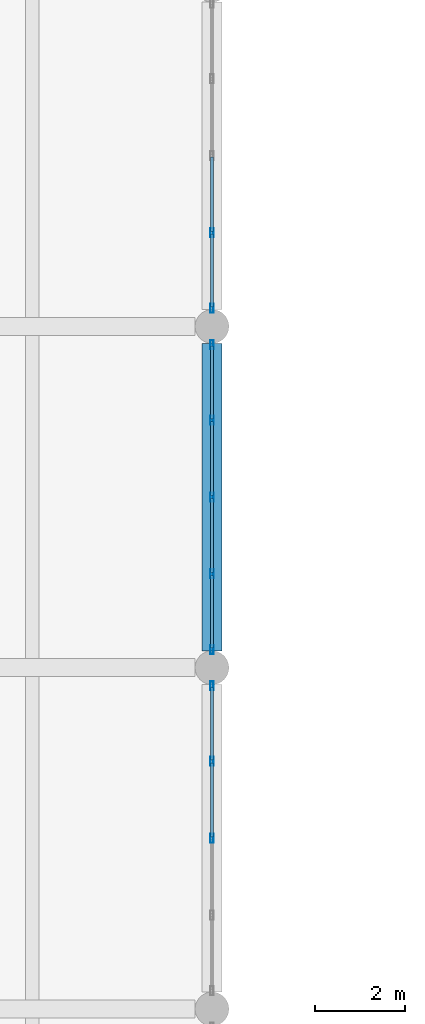
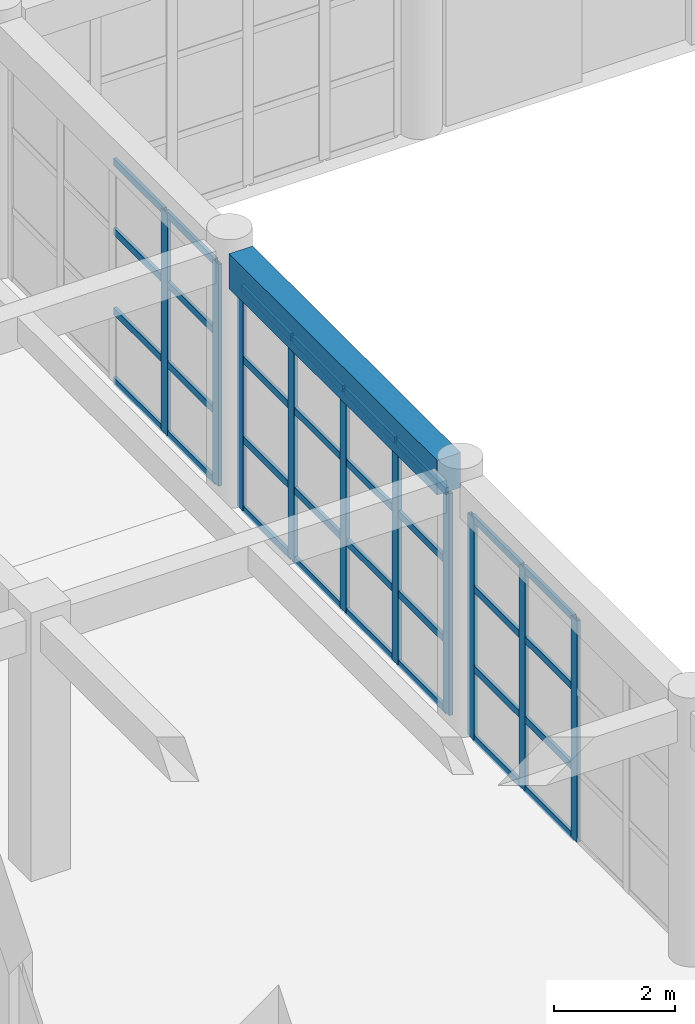
# One storey, part 19 of 95: 42 members, 1 beam, 3 elements without a shape of their own.
"""IFC4 building model written with IfcOpenShell, lengths in metres."""

from ifc_helpers import new_model, si_unit, direction, frame, origin, origin_2d, place, context, subcontext, project, spatial, rectangle, hollow_rectangle, extrude, material, material_profile, profile_set, type_object, element, aggregate, save


model = new_model("IFC4")

# Units and contexts
model_context = context("Model", 3, precision=1e-05, world=origin(), true_north=direction((0.0, 1.0)))
body_context = subcontext(model_context, "Body", "Model", "MODEL_VIEW")
ifc_project = project(units=[si_unit("LENGTHUNIT", "METRE"), si_unit("AREAUNIT", "SQUARE_METRE"), si_unit("VOLUMEUNIT", "CUBIC_METRE"), si_unit("PLANEANGLEUNIT", "RADIAN"), si_unit("MASSUNIT", "GRAM", prefix="KILO")], contexts=[model_context])

# Site, building, storey
site_placement = place(None, origin())
site = spatial("IfcSite", under=ifc_project, at=site_placement, CompositionType="ELEMENT")
building_placement = place(site_placement, origin())
building = spatial("IfcBuilding", under=site, at=building_placement, Name="Zantavel Square City Hall", CompositionType="ELEMENT")
storey_placement = place(building_placement, origin())
storey = spatial("IfcBuildingStorey", under=building, at=storey_placement, Name="L01", CompositionType="ELEMENT", Elevation=0.0)

# Curtain wall, members
ifc_material_1 = material(Name="Anodised aluminium 6063-T6", Category="aluminium")
curtain_wall_type = type_object("IfcCurtainWallType", Name="Curtain Wall CRT 6850x4460", PredefinedType="USERDEFINED", material=ifc_material_1)
curtain_wall_1_placement = place(storey_placement, origin())
curtain_wall_1 = element("IfcCurtainWall", 1, at=curtain_wall_1_placement, inside=storey, type_object=curtain_wall_type, Name="L01 Glazed Curtain Wall CW-L01-006", ObjectType="GLAZED CURTAIN WALL", PredefinedType="USERDEFINED")
ifc_material_profile_1 = material_profile(ifc_material_1, hollow_rectangle(XDim=0.070068359375, YDim=0.199951171875, WallThickness=0.00439453125, at=origin_2d()), Name="ALU 70x200x4.5")
ifc_profile_set_1 = profile_set([ifc_material_profile_1], Name="Anodised aluminium 6063-T6")
member_type_1 = type_object("IfcMemberType", Name="CW Heavy Hall Mullion ALU 70x200x4.5", PredefinedType="MULLION", material=ifc_profile_set_1)
member_1_placement = place(storey_placement, frame((16.0, 62.887451171875, 0.0), z_axis=(0.0, 0.0, 1.0), x_axis=(1.0, 0.0, 0.0)))
member_1 = element("IfcMember", 2, at=member_1_placement, type_object=member_type_1, Name="CW-006 mullion 4", PredefinedType="MULLION", context=body_context, shape_type="SweptSolid", body=[
    extrude(hollow_rectangle(XDim=0.070068359375, YDim=0.199951171875, WallThickness=0.00439453125, at=origin_2d()), origin(), (0.0, 0.0, 1.0), 4.4599609375),
])
member_2_placement = place(storey_placement, frame((16.0, 61.205078125, 0.0), z_axis=(0.0, 0.0, 1.0), x_axis=(1.0, 0.0, 0.0)))
member_2 = element("IfcMember", 3, at=member_2_placement, type_object=member_type_1, Name="CW-006 mullion 5", PredefinedType="MULLION", context=body_context, shape_type="SweptSolid", body=[
    extrude(hollow_rectangle(XDim=0.070068359375, YDim=0.199951171875, WallThickness=0.00439453125, at=origin_2d()), origin(), (0.0, 0.0, 1.0), 4.4599609375),
])

curtain_wall_2_placement = place(storey_placement, origin())
curtain_wall_2 = element("IfcCurtainWall", 4, at=curtain_wall_2_placement, inside=storey, type_object=curtain_wall_type, Name="L01 Glazed Curtain Wall CW-L01-007", ObjectType="GLAZED CURTAIN WALL", PredefinedType="USERDEFINED")
member_3_placement = place(storey_placement, frame((16.0, 60.39501953125, 0.0), z_axis=(0.0, 0.0, 1.0), x_axis=(1.0, 0.0, 0.0)))
member_3 = element("IfcMember", 5, at=member_3_placement, type_object=member_type_1, Name="CW-007 mullion 1", PredefinedType="MULLION", context=body_context, shape_type="SweptSolid", body=[
    extrude(hollow_rectangle(XDim=0.070068359375, YDim=0.199951171875, WallThickness=0.00439453125, at=origin_2d()), origin(), (0.0, 0.0, 1.0), 4.4599609375),
])
member_4_placement = place(storey_placement, frame((16.0, 58.71240234375, 0.0), z_axis=(0.0, 0.0, 1.0), x_axis=(1.0, 0.0, 0.0)))
member_4 = element("IfcMember", 6, at=member_4_placement, type_object=member_type_1, Name="CW-007 mullion 2", PredefinedType="MULLION", context=body_context, shape_type="SweptSolid", body=[
    extrude(hollow_rectangle(XDim=0.070068359375, YDim=0.199951171875, WallThickness=0.00439453125, at=origin_2d()), origin(), (0.0, 0.0, 1.0), 4.4599609375),
])
member_5_placement = place(storey_placement, frame((16.0, 57.0, 0.0), z_axis=(0.0, 0.0, 1.0), x_axis=(1.0, 0.0, 0.0)))
member_5 = element("IfcMember", 7, at=member_5_placement, type_object=member_type_1, Name="CW-007 mullion 3", PredefinedType="MULLION", context=body_context, shape_type="SweptSolid", body=[
    extrude(hollow_rectangle(XDim=0.070068359375, YDim=0.199951171875, WallThickness=0.00439453125, at=origin_2d()), origin(), (0.0, 0.0, 1.0), 4.4599609375),
])
member_6_placement = place(storey_placement, frame((16.0, 55.28759765625, 0.0), z_axis=(0.0, 0.0, 1.0), x_axis=(1.0, 0.0, 0.0)))
member_6 = element("IfcMember", 8, at=member_6_placement, type_object=member_type_1, Name="CW-007 mullion 4", PredefinedType="MULLION", context=body_context, shape_type="SweptSolid", body=[
    extrude(hollow_rectangle(XDim=0.070068359375, YDim=0.199951171875, WallThickness=0.00439453125, at=origin_2d()), origin(), (0.0, 0.0, 1.0), 4.4599609375),
])
member_7_placement = place(storey_placement, frame((16.0, 53.60498046875, 0.0), z_axis=(0.0, 0.0, 1.0), x_axis=(1.0, 0.0, 0.0)))
member_7 = element("IfcMember", 9, at=member_7_placement, type_object=member_type_1, Name="CW-007 mullion 5", PredefinedType="MULLION", context=body_context, shape_type="SweptSolid", body=[
    extrude(hollow_rectangle(XDim=0.070068359375, YDim=0.199951171875, WallThickness=0.00439453125, at=origin_2d()), origin(), (0.0, 0.0, 1.0), 4.4599609375),
])

curtain_wall_3_placement = place(storey_placement, origin())
curtain_wall_3 = element("IfcCurtainWall", 10, at=curtain_wall_3_placement, inside=storey, type_object=curtain_wall_type, Name="L01 Glazed Curtain Wall CW-L01-008", ObjectType="GLAZED CURTAIN WALL", PredefinedType="USERDEFINED")
member_8_placement = place(storey_placement, frame((16.0, 52.794921875, 0.0), z_axis=(0.0, 0.0, 1.0), x_axis=(1.0, 0.0, 0.0)))
member_8 = element("IfcMember", 11, at=member_8_placement, type_object=member_type_1, Name="CW-008 mullion 1", PredefinedType="MULLION", context=body_context, shape_type="SweptSolid", body=[
    extrude(hollow_rectangle(XDim=0.070068359375, YDim=0.199951171875, WallThickness=0.00439453125, at=origin_2d()), origin(), (0.0, 0.0, 1.0), 4.4599609375),
])
member_9_placement = place(storey_placement, frame((16.0, 51.112548828125, 0.0), z_axis=(0.0, 0.0, 1.0), x_axis=(1.0, 0.0, 0.0)))
member_9 = element("IfcMember", 12, at=member_9_placement, type_object=member_type_1, Name="CW-008 mullion 2", PredefinedType="MULLION", context=body_context, shape_type="SweptSolid", body=[
    extrude(hollow_rectangle(XDim=0.070068359375, YDim=0.199951171875, WallThickness=0.00439453125, at=origin_2d()), origin(), (0.0, 0.0, 1.0), 4.4599609375),
])
member_10_placement = place(storey_placement, frame((16.0, 49.39990234375, 0.0), z_axis=(0.0, 0.0, 1.0), x_axis=(1.0, 0.0, 0.0)))
member_10 = element("IfcMember", 13, at=member_10_placement, type_object=member_type_1, Name="CW-008 mullion 3", PredefinedType="MULLION", context=body_context, shape_type="SweptSolid", body=[
    extrude(hollow_rectangle(XDim=0.070068359375, YDim=0.199951171875, WallThickness=0.00439453125, at=origin_2d()), origin(), (0.0, 0.0, 1.0), 4.4599609375),
])

# Member
ifc_material_profile_2 = material_profile(ifc_material_1, hollow_rectangle(XDim=0.06005859375, YDim=0.139892578125, WallThickness=0.00390625, at=origin_2d()), Name="ALU 60x140x4")
ifc_profile_set_2 = profile_set([ifc_material_profile_2], Name="Anodised aluminium 6063-T6")
member_type_2 = type_object("IfcMemberType", Name="CW Transom ALU 60x140x4", PredefinedType="USERDEFINED", material=ifc_profile_set_2)
member_11_placement = place(storey_placement, frame((16.0, 64.570068359375, 0.030029296875), z_axis=(0.0, -1.0, 0.0), x_axis=(1.0, 0.0, 0.0)))
member_11 = element("IfcMember", 14, at=member_11_placement, type_object=member_type_2, Name="CW-006 transom 3.1", ObjectType="TRANSOM", PredefinedType="USERDEFINED", context=body_context, shape_type="SweptSolid", body=[
    extrude(hollow_rectangle(XDim=0.06005859375, YDim=0.139892578125, WallThickness=0.00390625, at=origin_2d()), origin(), (0.0, 0.0, 1.0), 1.652587890625),
])

member_12_placement = place(storey_placement, frame((16.0, 64.570068359375, 1.427001953125), z_axis=(0.0, -1.0, 0.0), x_axis=(1.0, 0.0, 0.0)))
member_12 = element("IfcMember", 15, at=member_12_placement, type_object=member_type_2, Name="CW-006 transom 3.2", ObjectType="TRANSOM", PredefinedType="USERDEFINED", context=body_context, shape_type="SweptSolid", body=[
    extrude(hollow_rectangle(XDim=0.06005859375, YDim=0.139892578125, WallThickness=0.00390625, at=origin_2d()), origin(), (0.0, 0.0, 1.0), 1.652587890625),
])

member_13_placement = place(storey_placement, frame((16.0, 64.570068359375, 3.032958984375), z_axis=(0.0, -1.0, 0.0), x_axis=(1.0, 0.0, 0.0)))
member_13 = element("IfcMember", 16, at=member_13_placement, type_object=member_type_2, Name="CW-006 transom 3.3", ObjectType="TRANSOM", PredefinedType="USERDEFINED", context=body_context, shape_type="SweptSolid", body=[
    extrude(hollow_rectangle(XDim=0.06005859375, YDim=0.139892578125, WallThickness=0.00390625, at=origin_2d()), origin(), (0.0, 0.0, 1.0), 1.652587890625),
])

member_14_placement = place(storey_placement, frame((16.0, 64.570068359375, 4.429931640625), z_axis=(0.0, -1.0, 0.0), x_axis=(1.0, 0.0, 0.0)))
member_14 = element("IfcMember", 17, at=member_14_placement, type_object=member_type_2, Name="CW-006 transom 3.4", ObjectType="TRANSOM", PredefinedType="USERDEFINED", context=body_context, shape_type="SweptSolid", body=[
    extrude(hollow_rectangle(XDim=0.06005859375, YDim=0.139892578125, WallThickness=0.00390625, at=origin_2d()), origin(), (0.0, 0.0, 1.0), 1.652587890625),
])

member_15_placement = place(storey_placement, frame((16.0, 62.857421875, 0.030029296875), z_axis=(0.0, -1.0, 0.0), x_axis=(1.0, 0.0, 0.0)))
member_15 = element("IfcMember", 18, at=member_15_placement, type_object=member_type_2, Name="CW-006 transom 4.1", ObjectType="TRANSOM", PredefinedType="USERDEFINED", context=body_context, shape_type="SweptSolid", body=[
    extrude(hollow_rectangle(XDim=0.06005859375, YDim=0.139892578125, WallThickness=0.00390625, at=origin_2d()), origin(), (0.0, 0.0, 1.0), 1.622314453125),
])

member_16_placement = place(storey_placement, frame((16.0, 62.857421875, 1.427001953125), z_axis=(0.0, -1.0, 0.0), x_axis=(1.0, 0.0, 0.0)))
member_16 = element("IfcMember", 19, at=member_16_placement, type_object=member_type_2, Name="CW-006 transom 4.2", ObjectType="TRANSOM", PredefinedType="USERDEFINED", context=body_context, shape_type="SweptSolid", body=[
    extrude(hollow_rectangle(XDim=0.06005859375, YDim=0.139892578125, WallThickness=0.00390625, at=origin_2d()), origin(), (0.0, 0.0, 1.0), 1.622314453125),
])

member_17_placement = place(storey_placement, frame((16.0, 62.857421875, 3.032958984375), z_axis=(0.0, -1.0, 0.0), x_axis=(1.0, 0.0, 0.0)))
member_17 = element("IfcMember", 20, at=member_17_placement, type_object=member_type_2, Name="CW-006 transom 4.3", ObjectType="TRANSOM", PredefinedType="USERDEFINED", context=body_context, shape_type="SweptSolid", body=[
    extrude(hollow_rectangle(XDim=0.06005859375, YDim=0.139892578125, WallThickness=0.00390625, at=origin_2d()), origin(), (0.0, 0.0, 1.0), 1.622314453125),
])

member_18_placement = place(storey_placement, frame((16.0, 62.857421875, 4.429931640625), z_axis=(0.0, -1.0, 0.0), x_axis=(1.0, 0.0, 0.0)))
member_18 = element("IfcMember", 21, at=member_18_placement, type_object=member_type_2, Name="CW-006 transom 4.4", ObjectType="TRANSOM", PredefinedType="USERDEFINED", context=body_context, shape_type="SweptSolid", body=[
    extrude(hollow_rectangle(XDim=0.06005859375, YDim=0.139892578125, WallThickness=0.00390625, at=origin_2d()), origin(), (0.0, 0.0, 1.0), 1.622314453125),
])

aggregate(curtain_wall_1, [member_1, member_2, member_11, member_12, member_13, member_14, member_15, member_16, member_17, member_18])

member_19_placement = place(storey_placement, frame((16.0, 60.364990234375, 0.030029296875), z_axis=(0.0, -1.0, 0.0), x_axis=(1.0, 0.0, 0.0)))
member_19 = element("IfcMember", 22, at=member_19_placement, type_object=member_type_2, Name="CW-007 transom 1.1", ObjectType="TRANSOM", PredefinedType="USERDEFINED", context=body_context, shape_type="SweptSolid", body=[
    extrude(hollow_rectangle(XDim=0.06005859375, YDim=0.139892578125, WallThickness=0.00390625, at=origin_2d()), origin(), (0.0, 0.0, 1.0), 1.62255859375),
])

member_20_placement = place(storey_placement, frame((16.0, 60.364990234375, 1.427001953125), z_axis=(0.0, -1.0, 0.0), x_axis=(1.0, 0.0, 0.0)))
member_20 = element("IfcMember", 23, at=member_20_placement, type_object=member_type_2, Name="CW-007 transom 1.2", ObjectType="TRANSOM", PredefinedType="USERDEFINED", context=body_context, shape_type="SweptSolid", body=[
    extrude(hollow_rectangle(XDim=0.06005859375, YDim=0.139892578125, WallThickness=0.00390625, at=origin_2d()), origin(), (0.0, 0.0, 1.0), 1.62255859375),
])

member_21_placement = place(storey_placement, frame((16.0, 60.364990234375, 3.032958984375), z_axis=(0.0, -1.0, 0.0), x_axis=(1.0, 0.0, 0.0)))
member_21 = element("IfcMember", 24, at=member_21_placement, type_object=member_type_2, Name="CW-007 transom 1.3", ObjectType="TRANSOM", PredefinedType="USERDEFINED", context=body_context, shape_type="SweptSolid", body=[
    extrude(hollow_rectangle(XDim=0.06005859375, YDim=0.139892578125, WallThickness=0.00390625, at=origin_2d()), origin(), (0.0, 0.0, 1.0), 1.62255859375),
])

member_22_placement = place(storey_placement, frame((16.0, 60.364990234375, 4.429931640625), z_axis=(0.0, -1.0, 0.0), x_axis=(1.0, 0.0, 0.0)))
member_22 = element("IfcMember", 25, at=member_22_placement, type_object=member_type_2, Name="CW-007 transom 1.4", ObjectType="TRANSOM", PredefinedType="USERDEFINED", context=body_context, shape_type="SweptSolid", body=[
    extrude(hollow_rectangle(XDim=0.06005859375, YDim=0.139892578125, WallThickness=0.00390625, at=origin_2d()), origin(), (0.0, 0.0, 1.0), 1.62255859375),
])

member_23_placement = place(storey_placement, frame((16.0, 58.6826171875, 0.030029296875), z_axis=(0.0, -1.0, 0.0), x_axis=(1.0, 0.0, 0.0)))
member_23 = element("IfcMember", 26, at=member_23_placement, type_object=member_type_2, Name="CW-007 transom 2.1", ObjectType="TRANSOM", PredefinedType="USERDEFINED", context=body_context, shape_type="SweptSolid", body=[
    extrude(hollow_rectangle(XDim=0.06005859375, YDim=0.139892578125, WallThickness=0.00390625, at=origin_2d()), origin(), (0.0, 0.0, 1.0), 1.652587890625),
])

member_24_placement = place(storey_placement, frame((16.0, 58.6826171875, 1.427001953125), z_axis=(0.0, -1.0, 0.0), x_axis=(1.0, 0.0, 0.0)))
member_24 = element("IfcMember", 27, at=member_24_placement, type_object=member_type_2, Name="CW-007 transom 2.2", ObjectType="TRANSOM", PredefinedType="USERDEFINED", context=body_context, shape_type="SweptSolid", body=[
    extrude(hollow_rectangle(XDim=0.06005859375, YDim=0.139892578125, WallThickness=0.00390625, at=origin_2d()), origin(), (0.0, 0.0, 1.0), 1.652587890625),
])

member_25_placement = place(storey_placement, frame((16.0, 58.6826171875, 3.032958984375), z_axis=(0.0, -1.0, 0.0), x_axis=(1.0, 0.0, 0.0)))
member_25 = element("IfcMember", 28, at=member_25_placement, type_object=member_type_2, Name="CW-007 transom 2.3", ObjectType="TRANSOM", PredefinedType="USERDEFINED", context=body_context, shape_type="SweptSolid", body=[
    extrude(hollow_rectangle(XDim=0.06005859375, YDim=0.139892578125, WallThickness=0.00390625, at=origin_2d()), origin(), (0.0, 0.0, 1.0), 1.652587890625),
])

member_26_placement = place(storey_placement, frame((16.0, 58.6826171875, 4.429931640625), z_axis=(0.0, -1.0, 0.0), x_axis=(1.0, 0.0, 0.0)))
member_26 = element("IfcMember", 29, at=member_26_placement, type_object=member_type_2, Name="CW-007 transom 2.4", ObjectType="TRANSOM", PredefinedType="USERDEFINED", context=body_context, shape_type="SweptSolid", body=[
    extrude(hollow_rectangle(XDim=0.06005859375, YDim=0.139892578125, WallThickness=0.00390625, at=origin_2d()), origin(), (0.0, 0.0, 1.0), 1.652587890625),
])

member_27_placement = place(storey_placement, frame((16.0, 56.969970703125, 0.030029296875), z_axis=(0.0, -1.0, 0.0), x_axis=(1.0, 0.0, 0.0)))
member_27 = element("IfcMember", 30, at=member_27_placement, type_object=member_type_2, Name="CW-007 transom 3.1", ObjectType="TRANSOM", PredefinedType="USERDEFINED", context=body_context, shape_type="SweptSolid", body=[
    extrude(hollow_rectangle(XDim=0.06005859375, YDim=0.139892578125, WallThickness=0.00390625, at=origin_2d()), origin(), (0.0, 0.0, 1.0), 1.652587890625),
])

member_28_placement = place(storey_placement, frame((16.0, 56.969970703125, 1.427001953125), z_axis=(0.0, -1.0, 0.0), x_axis=(1.0, 0.0, 0.0)))
member_28 = element("IfcMember", 31, at=member_28_placement, type_object=member_type_2, Name="CW-007 transom 3.2", ObjectType="TRANSOM", PredefinedType="USERDEFINED", context=body_context, shape_type="SweptSolid", body=[
    extrude(hollow_rectangle(XDim=0.06005859375, YDim=0.139892578125, WallThickness=0.00390625, at=origin_2d()), origin(), (0.0, 0.0, 1.0), 1.652587890625),
])

member_29_placement = place(storey_placement, frame((16.0, 56.969970703125, 3.032958984375), z_axis=(0.0, -1.0, 0.0), x_axis=(1.0, 0.0, 0.0)))
member_29 = element("IfcMember", 32, at=member_29_placement, type_object=member_type_2, Name="CW-007 transom 3.3", ObjectType="TRANSOM", PredefinedType="USERDEFINED", context=body_context, shape_type="SweptSolid", body=[
    extrude(hollow_rectangle(XDim=0.06005859375, YDim=0.139892578125, WallThickness=0.00390625, at=origin_2d()), origin(), (0.0, 0.0, 1.0), 1.652587890625),
])

member_30_placement = place(storey_placement, frame((16.0, 56.969970703125, 4.429931640625), z_axis=(0.0, -1.0, 0.0), x_axis=(1.0, 0.0, 0.0)))
member_30 = element("IfcMember", 33, at=member_30_placement, type_object=member_type_2, Name="CW-007 transom 3.4", ObjectType="TRANSOM", PredefinedType="USERDEFINED", context=body_context, shape_type="SweptSolid", body=[
    extrude(hollow_rectangle(XDim=0.06005859375, YDim=0.139892578125, WallThickness=0.00390625, at=origin_2d()), origin(), (0.0, 0.0, 1.0), 1.652587890625),
])

member_31_placement = place(storey_placement, frame((16.0, 55.257568359375, 0.030029296875), z_axis=(0.0, -1.0, 0.0), x_axis=(1.0, 0.0, 0.0)))
member_31 = element("IfcMember", 34, at=member_31_placement, type_object=member_type_2, Name="CW-007 transom 4.1", ObjectType="TRANSOM", PredefinedType="USERDEFINED", context=body_context, shape_type="SweptSolid", body=[
    extrude(hollow_rectangle(XDim=0.06005859375, YDim=0.139892578125, WallThickness=0.00390625, at=origin_2d()), origin(), (0.0, 0.0, 1.0), 1.62255859375),
])

member_32_placement = place(storey_placement, frame((16.0, 55.257568359375, 1.427001953125), z_axis=(0.0, -1.0, 0.0), x_axis=(1.0, 0.0, 0.0)))
member_32 = element("IfcMember", 35, at=member_32_placement, type_object=member_type_2, Name="CW-007 transom 4.2", ObjectType="TRANSOM", PredefinedType="USERDEFINED", context=body_context, shape_type="SweptSolid", body=[
    extrude(hollow_rectangle(XDim=0.06005859375, YDim=0.139892578125, WallThickness=0.00390625, at=origin_2d()), origin(), (0.0, 0.0, 1.0), 1.62255859375),
])

member_33_placement = place(storey_placement, frame((16.0, 55.257568359375, 3.032958984375), z_axis=(0.0, -1.0, 0.0), x_axis=(1.0, 0.0, 0.0)))
member_33 = element("IfcMember", 36, at=member_33_placement, type_object=member_type_2, Name="CW-007 transom 4.3", ObjectType="TRANSOM", PredefinedType="USERDEFINED", context=body_context, shape_type="SweptSolid", body=[
    extrude(hollow_rectangle(XDim=0.06005859375, YDim=0.139892578125, WallThickness=0.00390625, at=origin_2d()), origin(), (0.0, 0.0, 1.0), 1.62255859375),
])

member_34_placement = place(storey_placement, frame((16.0, 55.257568359375, 4.429931640625), z_axis=(0.0, -1.0, 0.0), x_axis=(1.0, 0.0, 0.0)))
member_34 = element("IfcMember", 37, at=member_34_placement, type_object=member_type_2, Name="CW-007 transom 4.4", ObjectType="TRANSOM", PredefinedType="USERDEFINED", context=body_context, shape_type="SweptSolid", body=[
    extrude(hollow_rectangle(XDim=0.06005859375, YDim=0.139892578125, WallThickness=0.00390625, at=origin_2d()), origin(), (0.0, 0.0, 1.0), 1.62255859375),
])

aggregate(curtain_wall_2, [member_3, member_4, member_5, member_6, member_7, member_19, member_20, member_21, member_22, member_23, member_24, member_25, member_26, member_27, member_28, member_29, member_30, member_31, member_32, member_33, member_34])

member_35_placement = place(storey_placement, frame((16.0, 52.764892578125, 0.030029296875), z_axis=(0.0, -1.0, 0.0), x_axis=(1.0, 0.0, 0.0)))
member_35 = element("IfcMember", 38, at=member_35_placement, type_object=member_type_2, Name="CW-008 transom 1.1", ObjectType="TRANSOM", PredefinedType="USERDEFINED", context=body_context, shape_type="SweptSolid", body=[
    extrude(hollow_rectangle(XDim=0.06005859375, YDim=0.139892578125, WallThickness=0.00390625, at=origin_2d()), origin(), (0.0, 0.0, 1.0), 1.622314453125),
])

member_36_placement = place(storey_placement, frame((16.0, 52.764892578125, 1.427001953125), z_axis=(0.0, -1.0, 0.0), x_axis=(1.0, 0.0, 0.0)))
member_36 = element("IfcMember", 39, at=member_36_placement, type_object=member_type_2, Name="CW-008 transom 1.2", ObjectType="TRANSOM", PredefinedType="USERDEFINED", context=body_context, shape_type="SweptSolid", body=[
    extrude(hollow_rectangle(XDim=0.06005859375, YDim=0.139892578125, WallThickness=0.00390625, at=origin_2d()), origin(), (0.0, 0.0, 1.0), 1.622314453125),
])

member_37_placement = place(storey_placement, frame((16.0, 52.764892578125, 3.032958984375), z_axis=(0.0, -1.0, 0.0), x_axis=(1.0, 0.0, 0.0)))
member_37 = element("IfcMember", 40, at=member_37_placement, type_object=member_type_2, Name="CW-008 transom 1.3", ObjectType="TRANSOM", PredefinedType="USERDEFINED", context=body_context, shape_type="SweptSolid", body=[
    extrude(hollow_rectangle(XDim=0.06005859375, YDim=0.139892578125, WallThickness=0.00390625, at=origin_2d()), origin(), (0.0, 0.0, 1.0), 1.622314453125),
])

member_38_placement = place(storey_placement, frame((16.0, 52.764892578125, 4.429931640625), z_axis=(0.0, -1.0, 0.0), x_axis=(1.0, 0.0, 0.0)))
member_38 = element("IfcMember", 41, at=member_38_placement, type_object=member_type_2, Name="CW-008 transom 1.4", ObjectType="TRANSOM", PredefinedType="USERDEFINED", context=body_context, shape_type="SweptSolid", body=[
    extrude(hollow_rectangle(XDim=0.06005859375, YDim=0.139892578125, WallThickness=0.00390625, at=origin_2d()), origin(), (0.0, 0.0, 1.0), 1.622314453125),
])

member_39_placement = place(storey_placement, frame((16.0, 51.08251953125, 0.030029296875), z_axis=(0.0, -1.0, 0.0), x_axis=(1.0, 0.0, 0.0)))
member_39 = element("IfcMember", 42, at=member_39_placement, type_object=member_type_2, Name="CW-008 transom 2.1", ObjectType="TRANSOM", PredefinedType="USERDEFINED", context=body_context, shape_type="SweptSolid", body=[
    extrude(hollow_rectangle(XDim=0.06005859375, YDim=0.139892578125, WallThickness=0.00390625, at=origin_2d()), origin(), (0.0, 0.0, 1.0), 1.652587890625),
])

member_40_placement = place(storey_placement, frame((16.0, 51.08251953125, 1.427001953125), z_axis=(0.0, -1.0, 0.0), x_axis=(1.0, 0.0, 0.0)))
member_40 = element("IfcMember", 43, at=member_40_placement, type_object=member_type_2, Name="CW-008 transom 2.2", ObjectType="TRANSOM", PredefinedType="USERDEFINED", context=body_context, shape_type="SweptSolid", body=[
    extrude(hollow_rectangle(XDim=0.06005859375, YDim=0.139892578125, WallThickness=0.00390625, at=origin_2d()), origin(), (0.0, 0.0, 1.0), 1.652587890625),
])

member_41_placement = place(storey_placement, frame((16.0, 51.08251953125, 3.032958984375), z_axis=(0.0, -1.0, 0.0), x_axis=(1.0, 0.0, 0.0)))
member_41 = element("IfcMember", 44, at=member_41_placement, type_object=member_type_2, Name="CW-008 transom 2.3", ObjectType="TRANSOM", PredefinedType="USERDEFINED", context=body_context, shape_type="SweptSolid", body=[
    extrude(hollow_rectangle(XDim=0.06005859375, YDim=0.139892578125, WallThickness=0.00390625, at=origin_2d()), origin(), (0.0, 0.0, 1.0), 1.652587890625),
])

member_42_placement = place(storey_placement, frame((16.0, 51.08251953125, 4.429931640625), z_axis=(0.0, -1.0, 0.0), x_axis=(1.0, 0.0, 0.0)))
member_42 = element("IfcMember", 45, at=member_42_placement, type_object=member_type_2, Name="CW-008 transom 2.4", ObjectType="TRANSOM", PredefinedType="USERDEFINED", context=body_context, shape_type="SweptSolid", body=[
    extrude(hollow_rectangle(XDim=0.06005859375, YDim=0.139892578125, WallThickness=0.00390625, at=origin_2d()), origin(), (0.0, 0.0, 1.0), 1.652587890625),
])

aggregate(curtain_wall_3, [member_8, member_9, member_10, member_35, member_36, member_37, member_38, member_39, member_40, member_41, member_42])

# Beam
ifc_material_2 = material(Name="Concrete C35/45", Category="concrete")
ifc_material_profile_3 = material_profile(ifc_material_2, rectangle(XDim=0.449951171875, YDim=0.699951171875, at=origin_2d()), Name="RC 450x700")
ifc_profile_set_3 = profile_set([ifc_material_profile_3], Name="Concrete C35/45")
beam_type = type_object("IfcBeamType", Name="Primary Girder RC 450x700 C35/45", PredefinedType="BEAM", material=ifc_profile_set_3)
beam_placement = place(storey_placement, frame((16.0, 53.574951171875, 4.81005859375), z_axis=(0.0, 1.0, 0.0), x_axis=(-1.0, 0.0, 0.0)))
element("IfcBeam", 46, at=beam_placement, inside=storey, type_object=beam_type, Name="L01 Beam BMY-L01-0160-0532", PredefinedType="BEAM", context=body_context, shape_type="SweptSolid", body=[
    extrude(rectangle(XDim=0.449951171875, YDim=0.699951171875, at=origin_2d()), origin(), (0.0, 0.0, 1.0), 6.85009765625),
])

save(model, "model.ifc")
